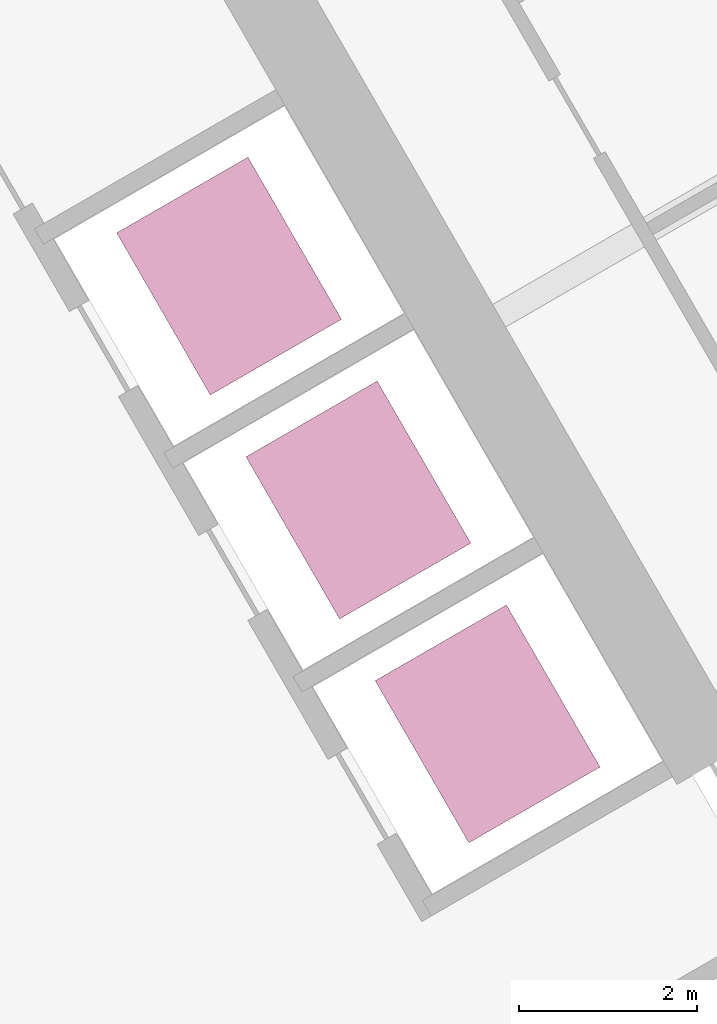
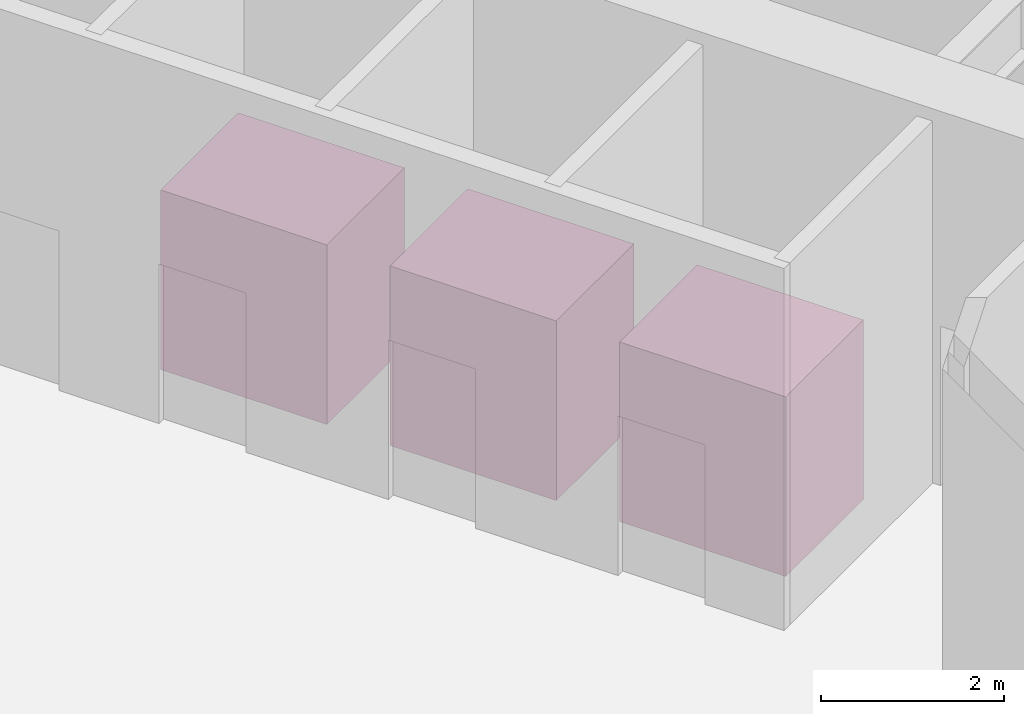
# One storey, part 14 of 14: 3 transport elements.
"""IFC4 building model written with IfcOpenShell, lengths in metres."""

from ifc_helpers import new_model, si_unit, direction, frame, origin, origin_2d, place, context, subcontext, project, spatial, rectangle, extrude, material, type_object, element, save


model = new_model("IFC4")

# Units and contexts
model_context = context("Model", 3, precision=1e-05, world=origin(), true_north=direction((0.0, 1.0)))
body_context = subcontext(model_context, "Body", "Model", "MODEL_VIEW")
ifc_project = project(units=[si_unit("LENGTHUNIT", "METRE"), si_unit("AREAUNIT", "SQUARE_METRE"), si_unit("VOLUMEUNIT", "CUBIC_METRE"), si_unit("PLANEANGLEUNIT", "RADIAN"), si_unit("MASSUNIT", "GRAM", prefix="KILO")], contexts=[model_context])

# Site, building, storey
site_placement = place(None, origin())
site = spatial("IfcSite", under=ifc_project, at=site_placement, CompositionType="ELEMENT")
building_placement = place(site_placement, origin())
building = spatial("IfcBuilding", under=site, at=building_placement, Name="Trikona Tower", CompositionType="ELEMENT")
storey_placement = place(building_placement, frame((0.0, 0.0, 109.699951171875)))
storey = spatial("IfcBuildingStorey", under=building, at=storey_placement, Name="L28", CompositionType="ELEMENT", Elevation=109.699951171875)

# Transport elements
ifc_material = material(Name="Lift car, stainless steel", Category="steel")
transport_element_type = type_object("IfcTransportElementType", Name="Mid-rise guest lift", PredefinedType="ELEVATOR", material=ifc_material)
for number, where, z_axis, x_axis, name in (
    (1, (6.01123046875, 4.74072265625, 0.0), (0.0, 0.0, 1.0), (-0.5, 0.866025403784, 0.0), "Lift L2-1 Mid-rise guest lift"),
    (2, (4.561279296875, 7.252197265625, 0.0), (0.0, 0.0, 1.0), (-0.5, 0.866025403784, 0.0), "Lift L2-2 Mid-rise guest lift"),
    (3, (3.111328125, 9.763671875, 0.0), (0.0, 0.0, 1.0), (-0.5, 0.866025403784, 0.0), "Lift L2-3 Mid-rise guest lift"),
):
    element("IfcTransportElement", number, at=place(storey_placement, frame(where, z_axis=z_axis, x_axis=x_axis)), inside=storey, type_object=transport_element_type, Name=name, PredefinedType="ELEVATOR", context=body_context, shape_type="SweptSolid", body=[
        extrude(rectangle(XDim=2.10009765625, YDim=1.699951171875, at=origin_2d()), origin(), (0.0, 0.0, 1.0), 2.39990234375),
    ])

save(model, "model.ifc")
